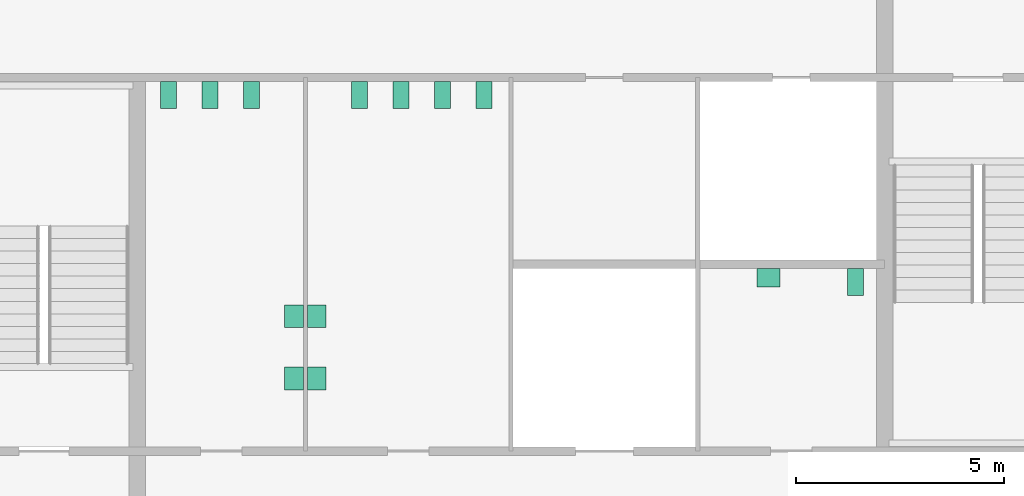
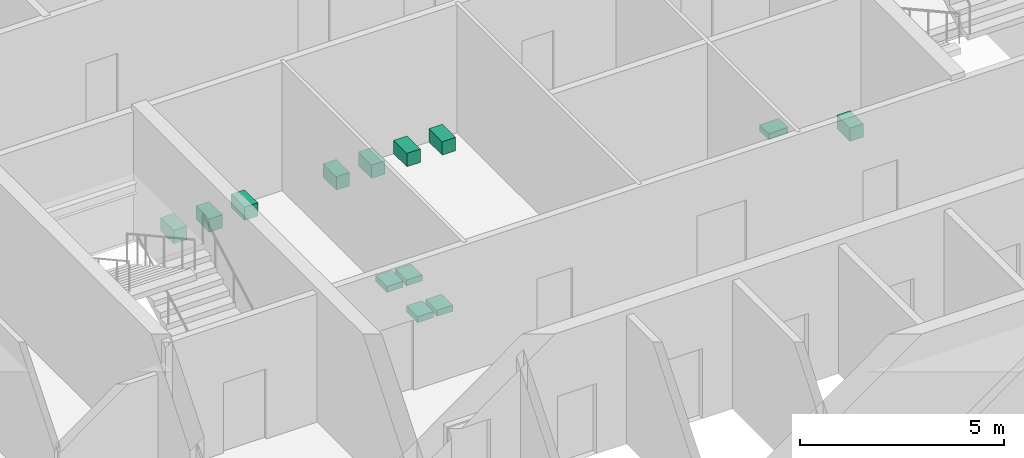
# One storey, part 14 of 14: 13 sanitary terminals.
"""IFC4 building model written with IfcOpenShell, lengths in metres."""

from ifc_helpers import new_model, si_unit, direction, frame, origin, origin_2d, place, context, subcontext, project, spatial, rectangle, extrude, material, type_object, element, save


model = new_model("IFC4")

# Units and contexts
model_context = context("Model", 3, precision=1e-05, world=origin(), true_north=direction((0.0, 1.0)))
body_context = subcontext(model_context, "Body", "Model", "MODEL_VIEW")
ifc_project = project(units=[si_unit("LENGTHUNIT", "METRE"), si_unit("AREAUNIT", "SQUARE_METRE"), si_unit("VOLUMEUNIT", "CUBIC_METRE"), si_unit("PLANEANGLEUNIT", "RADIAN"), si_unit("MASSUNIT", "GRAM", prefix="KILO")], contexts=[model_context])

# Site, building, storey
site_placement = place(None, origin())
site = spatial("IfcSite", under=ifc_project, at=site_placement, CompositionType="ELEMENT")
building_placement = place(site_placement, origin())
building = spatial("IfcBuilding", under=site, at=building_placement, Name="Corais Broadcast Tower", CompositionType="ELEMENT")
storey_placement = place(building_placement, frame((0.0, 0.0, 294.60009765625)))
storey = spatial("IfcBuildingStorey", under=building, at=storey_placement, Name="L69", CompositionType="ELEMENT", Elevation=294.60009765625)

# Sanitary terminals
ifc_material_1 = material(Name="Vitreous china", Category="ceramic")
sanitary_terminal_type_1 = type_object("IfcSanitaryTerminalType", Name="WC pan 380x650", PredefinedType="TOILETPAN", material=ifc_material_1)
for number, where, z_axis, x_axis, name in (
    (1, (18.75, 31.074951171875, 0.0), (0.0, 0.0, 1.0), (1.0, 0.0, 0.0), "SW1 WC pan, male toilets L69"),
    (2, (19.75, 31.074951171875, 0.0), (0.0, 0.0, 1.0), (1.0, 0.0, 0.0), "SW1 WC pan, male toilets L69"),
    (3, (20.75, 31.074951171875, 0.0), (0.0, 0.0, 1.0), (1.0, 0.0, 0.0), "SW1 WC pan, male toilets L69"),
    (4, (23.35009765625, 31.074951171875, 0.0), (0.0, 0.0, 1.0), (1.0, 0.0, 0.0), "SW1 WC pan, female toilets L69"),
    (5, (24.35009765625, 31.074951171875, 0.0), (0.0, 0.0, 1.0), (1.0, 0.0, 0.0), "SW1 WC pan, female toilets L69"),
    (6, (25.35009765625, 31.074951171875, 0.0), (0.0, 0.0, 1.0), (1.0, 0.0, 0.0), "SW1 WC pan, female toilets L69"),
    (7, (26.35009765625, 31.074951171875, 0.0), (0.0, 0.0, 1.0), (1.0, 0.0, 0.0), "SW1 WC pan, female toilets L69"),
    (8, (35.300048828125, 26.574951171875, 0.0), (0.0, 0.0, 1.0), (1.0, 0.0, 0.0), "SW1 WC pan, accessible WC L69"),
):
    element("IfcSanitaryTerminal", number, at=place(storey_placement, frame(where, z_axis=z_axis, x_axis=x_axis)), inside=storey, type_object=sanitary_terminal_type_1, Name=name, PredefinedType="TOILETPAN", context=body_context, shape_type="SweptSolid", body=[
        extrude(rectangle(XDim=0.3798828125, YDim=0.64990234375, at=origin_2d()), origin(), (0.0, 0.0, 1.0), 0.39990234375),
    ])
ifc_material_2 = material(Name="Vitreous china", Category="ceramic")
sanitary_terminal_type_2 = type_object("IfcSanitaryTerminalType", Name="Wash basin 550x450", PredefinedType="WASHHANDBASIN", material=ifc_material_2)
for number, where, z_axis, x_axis, name in (
    (9, (21.77490234375, 24.25, 0.69970703125), (0.0, 0.0, 1.0), (1.0, 0.0, 0.0), "WB1 wash basin, male toilets L69"),
    (10, (21.77490234375, 25.75, 0.69970703125), (0.0, 0.0, 1.0), (1.0, 0.0, 0.0), "WB1 wash basin, male toilets L69"),
    (11, (22.324951171875, 24.25, 0.69970703125), (0.0, 0.0, 1.0), (1.0, 0.0, 0.0), "WB1 wash basin, female toilets L69"),
    (12, (22.324951171875, 25.75, 0.69970703125), (0.0, 0.0, 1.0), (1.0, 0.0, 0.0), "WB1 wash basin, female toilets L69"),
):
    element("IfcSanitaryTerminal", number, at=place(storey_placement, frame(where, z_axis=z_axis, x_axis=x_axis)), inside=storey, type_object=sanitary_terminal_type_2, Name=name, PredefinedType="WASHHANDBASIN", context=body_context, shape_type="SweptSolid", body=[
        extrude(rectangle(XDim=0.449951171875, YDim=0.550048828125, at=origin_2d()), origin(), (0.0, 0.0, 1.0), 0.179931640625),
    ])
sanitary_terminal_placement = place(storey_placement, frame((33.199951171875, 26.675048828125, 0.69970703125), z_axis=(0.0, 0.0, 1.0), x_axis=(1.0, 0.0, 0.0)))
element("IfcSanitaryTerminal", 13, at=sanitary_terminal_placement, inside=storey, type_object=sanitary_terminal_type_2, Name="WB1 wash basin, accessible WC L69", PredefinedType="WASHHANDBASIN", context=body_context, shape_type="SweptSolid", body=[
    extrude(rectangle(XDim=0.550048828125, YDim=0.449951171875, at=origin_2d()), origin(), (0.0, 0.0, 1.0), 0.179931640625),
])

save(model, "model.ifc")
